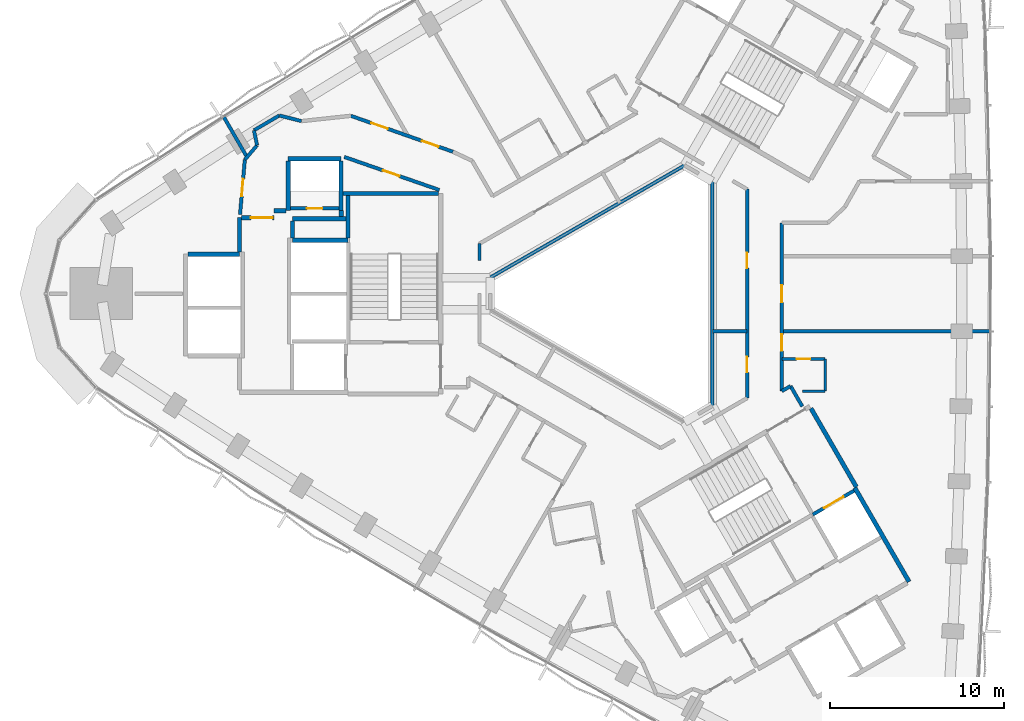
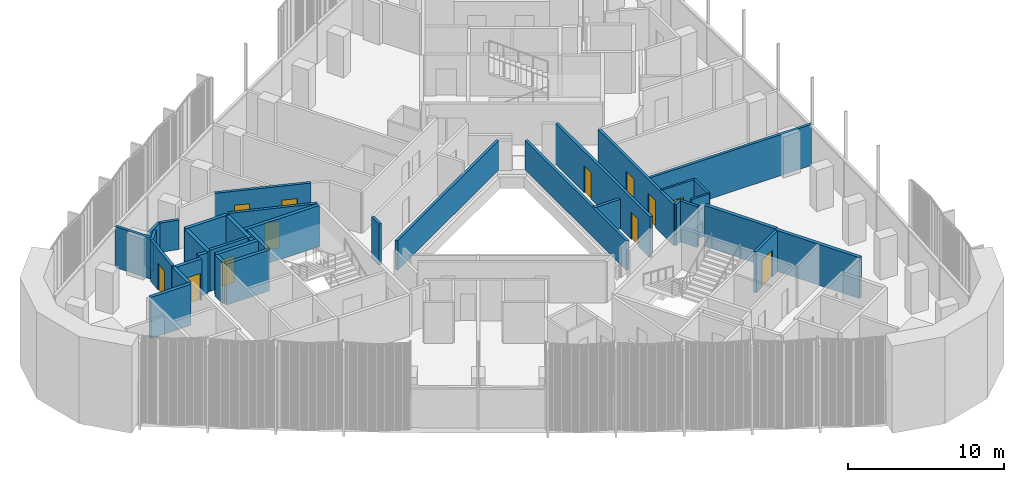
# One storey, part 10 of 15: 37 walls, 12 doors, 12 openings.
"""IFC4 building model written with IfcOpenShell, lengths in metres."""

from ifc_helpers import new_model, si_unit, direction, frame, frame_2d, origin, place, context, subcontext, project, spatial, rectangle, extrude, material, layer, layer_set, type_object, element, fill, save


model = new_model("IFC4")

# Units and contexts
model_context = context("Model", 3, precision=1e-05, world=origin(), true_north=direction((0.0, 1.0)))
body_context = subcontext(model_context, "Body", "Model", "MODEL_VIEW")
ifc_project = project(units=[si_unit("LENGTHUNIT", "METRE"), si_unit("AREAUNIT", "SQUARE_METRE"), si_unit("VOLUMEUNIT", "CUBIC_METRE"), si_unit("PLANEANGLEUNIT", "RADIAN"), si_unit("MASSUNIT", "GRAM", prefix="KILO")], contexts=[model_context])

# Site, building, storey
site_placement = place(None, origin())
site = spatial("IfcSite", under=ifc_project, at=site_placement, CompositionType="ELEMENT")
building_placement = place(site_placement, origin())
building = spatial("IfcBuilding", under=site, at=building_placement, Name="Tamra Quay Hotel Tower", CompositionType="ELEMENT")
storey_placement = place(building_placement, frame((0.0, 0.0, 128.800048828125)))
storey = spatial("IfcBuildingStorey", under=building, at=storey_placement, Name="L31", CompositionType="ELEMENT", Elevation=128.800048828125)

# Wall, opening, door
ifc_material_1 = material(Name="Concrete M70", Category="concrete")
ifc_layer_1 = layer(ifc_material_1, 0.199951171875)
ifc_layer_set_1 = layer_set([ifc_layer_1], Name="Concrete M70 core wall 200")
wall_type_1 = type_object("IfcWallType", Name="Concrete M70 core wall 200", PredefinedType="SHEAR", material=ifc_layer_set_1)
wall_1_placement = place(storey_placement, frame((-19.51123046875, 4.91015625, 0.0), z_axis=(0.0, 0.0, 1.0), x_axis=(1.0, 0.0, 0.0)))
wall_1 = element("IfcWall", 1, at=wall_1_placement, inside=storey, type_object=wall_type_1, Name="CW2", PredefinedType="SHEAR", context=body_context, shape_type="SweptSolid", body=[
    extrude(rectangle(XDim=2.7978515625, YDim=0.199951171875, at=frame_2d((1.39892578125, 0.0))), origin(), (0.0, 0.0, 1.0), 3.199951171875),
])
opening_1_placement = place(wall_1_placement, frame((0.948974609375, 0.0, 0.0)))
opening_1 = element("IfcOpeningElement", 2, at=opening_1_placement, cuts=wall_1, Name="Opening D1", PredefinedType="OPENING", context=body_context, shape_type="SweptSolid", body=[
    extrude(rectangle(XDim=0.89990234375, YDim=2.10009765625, at=frame_2d((0.449951171875, 1.050048828125))), frame((0.0, 0.10986328125, 0.0), z_axis=(0.0, -1.0, 0.0), x_axis=(1.0, 0.0, 0.0)), (0.0, 0.0, 1.0), 0.219970703125),
])
ifc_material_2 = material(Name="Core door D1 900x2100 RH")
door_type_1 = type_object("IfcDoorType", Name="Core door D1 900x2100 RH", OperationType="NOTDEFINED", PredefinedType="DOOR", material=ifc_material_2)
door_1_placement = place(opening_1_placement, origin())
door_1 = element("IfcDoor", 3, at=door_1_placement, inside=storey, type_object=door_type_1, Name="D1", OperationType="SINGLE_SWING_RIGHT", OverallHeight=2.10009765625, OverallWidth=0.89990234375, PredefinedType="DOOR", context=body_context, shape_type="SweptSolid", body=[
    extrude(rectangle(XDim=0.89990234375, YDim=2.10009765625, at=frame_2d((0.449951171875, 1.050048828125))), frame((0.0, 0.02490234375, 0.0), z_axis=(0.0, -1.0, 0.0), x_axis=(1.0, 0.0, 0.0)), (0.0, 0.0, 1.0), 0.050048828125),
])
fill(opening_1, door_1)

wall_2_placement = place(storey_placement, frame((10.587158203125, -12.72314453125, 0.0), z_axis=(0.0, 0.0, 1.0), x_axis=(0.866037306777, 0.499979382845, 0.0)))
wall_2 = element("IfcWall", 4, at=wall_2_placement, inside=storey, type_object=wall_type_1, Name="CW2", PredefinedType="SHEAR", context=body_context, shape_type="SweptSolid", body=[
    extrude(rectangle(XDim=2.74169921875, YDim=0.199951171875, at=frame_2d((1.370849609375, 0.0))), origin(), (0.0, 0.0, 1.0), 3.199951171875),
])
opening_2_placement = place(wall_2_placement, frame((0.742919921875, 0.0, 0.0)))
opening_2 = element("IfcOpeningElement", 5, at=opening_2_placement, cuts=wall_2, Name="Opening LD", PredefinedType="OPENING", context=body_context, shape_type="SweptSolid", body=[
    extrude(rectangle(XDim=1.300048828125, YDim=2.10009765625, at=frame_2d((0.64990234375, 1.050048828125))), frame((0.0, 0.10986328125, 0.0), z_axis=(0.0, -1.0, 0.0), x_axis=(1.0, 0.0, 0.0)), (0.0, 0.0, 1.0), 0.219970703125),
])
ifc_material_3 = material(Name="Landing door LD 1300 sliding to right")
door_type_2 = type_object("IfcDoorType", Name="Landing door LD 1300 sliding to right", OperationType="NOTDEFINED", PredefinedType="DOOR", material=ifc_material_3)
door_2_placement = place(opening_2_placement, origin())
door_2 = element("IfcDoor", 6, at=door_2_placement, inside=storey, type_object=door_type_2, Name="LD", OperationType="SLIDING_TO_RIGHT", OverallHeight=2.10009765625, OverallWidth=1.300048828125, PredefinedType="DOOR", context=body_context, shape_type="SweptSolid", body=[
    extrude(rectangle(XDim=1.300048828125, YDim=2.10009765625, at=frame_2d((0.64990234375, 1.050048828125))), frame((0.0, 0.02490234375, 0.0), z_axis=(0.0, -1.0, 0.0), x_axis=(1.0, 0.0, 0.0)), (0.0, 0.0, 1.0), 0.050048828125),
])
fill(opening_2, door_2)

# Walls
ifc_layer_2 = layer(ifc_material_1, 0.25)
ifc_layer_set_2 = layer_set([ifc_layer_2], Name="Concrete M70 core wall 250")
wall_type_2 = type_object("IfcWallType", Name="Concrete M70 core wall 250", PredefinedType="SHEAR", material=ifc_layer_set_2)
wall_3_placement = place(storey_placement, frame((-16.47216796875, 5.77490234375, 0.0), z_axis=(0.0, 0.0, 1.0), x_axis=(1.0, 0.0, 0.0)))
element("IfcWall", 7, at=wall_3_placement, inside=storey, type_object=wall_type_2, Name="CW1", PredefinedType="SHEAR", context=body_context, shape_type="SweptSolid", body=[
    extrude(rectangle(XDim=5.509521484375, YDim=0.25, at=frame_2d((2.7548828125, 0.0))), origin(), (0.0, 0.0, 1.0), 3.199951171875),
])
wall_4_placement = place(storey_placement, frame((-19.38720703125, 3.074951171875, 0.0), z_axis=(0.0, 0.0, 1.0), x_axis=(1.0, 0.0, 0.0)))
element("IfcWall", 8, at=wall_4_placement, inside=storey, type_object=wall_type_2, Name="CW1", PredefinedType="SHEAR", context=body_context, shape_type="SweptSolid", body=[
    extrude(rectangle(XDim=3.199951171875, YDim=0.25, at=frame_2d((1.60009765625, 0.0))), origin(), (0.0, 0.0, 1.0), 3.199951171875),
])
wall_5_placement = place(storey_placement, frame((-25.411865234375, 2.27490234375, 0.0), z_axis=(0.0, 0.0, 1.0), x_axis=(1.0, 0.0, 0.0)))
element("IfcWall", 9, at=wall_5_placement, inside=storey, type_object=wall_type_2, Name="CW1", PredefinedType="SHEAR", context=body_context, shape_type="SweptSolid", body=[
    extrude(rectangle(XDim=2.974609375, YDim=0.25, at=frame_2d((1.4873046875, 0.0))), origin(), (0.0, 0.0, 1.0), 3.199951171875),
])
wall_6_placement = place(storey_placement, frame((-19.63720703125, 7.77490234375, 0.0), z_axis=(0.0, 0.0, 1.0), x_axis=(1.0, 0.0, 0.0)))
element("IfcWall", 10, at=wall_6_placement, inside=storey, type_object=wall_type_2, Name="CW1", PredefinedType="SHEAR", context=body_context, shape_type="SweptSolid", body=[
    extrude(rectangle(XDim=3.0498046875, YDim=0.25, at=frame_2d((1.52490234375, 0.0))), origin(), (0.0, 0.0, 1.0), 3.199951171875),
])
for number, where, z_axis, x_axis, name in (
    (11, (-16.58740234375, 7.649658203125, 0.0), (0.0, 0.0, 1.0), (0.0, -1.0, 0.0), "CW1"),
    (12, (-19.63720703125, 4.784912109375, 0.0), (0.0, 0.0, 1.0), (0.0, 1.0, 0.0), "CW1"),
):
    element("IfcWall", number, at=place(storey_placement, frame(where, z_axis=z_axis, x_axis=x_axis)), inside=storey, type_object=wall_type_2, Name=name, PredefinedType="SHEAR", context=body_context, shape_type="SweptSolid", body=[
        extrude(rectangle(XDim=2.86474609375, YDim=0.25, at=frame_2d((1.432373046875, 0.0))), origin(), (0.0, 0.0, 1.0), 3.199951171875),
    ])
wall_7_placement = place(storey_placement, frame((-16.30224609375, 4.31494140625, 0.0), z_axis=(0.0, 0.0, 1.0), x_axis=(-1.0, 0.0, 0.0)))
element("IfcWall", 13, at=wall_7_placement, inside=storey, type_object=wall_type_2, Name="CW1", PredefinedType="SHEAR", context=body_context, shape_type="SweptSolid", body=[
    extrude(rectangle(XDim=3.0849609375, YDim=0.25, at=frame_2d((1.54248046875, 0.0))), origin(), (0.0, 0.0, 1.0), 3.199951171875),
])
wall_8_placement = place(storey_placement, frame((-16.187255859375, 3.200439453125, 0.0), z_axis=(0.0, 0.0, 1.0), x_axis=(0.0, 1.0, 0.0)))
element("IfcWall", 14, at=wall_8_placement, inside=storey, type_object=wall_type_2, Name="CW1", PredefinedType="SHEAR", context=body_context, shape_type="SweptSolid", body=[
    extrude(rectangle(XDim=2.44921875, YDim=0.25, at=frame_2d((1.224609375, 0.0))), origin(), (0.0, 0.0, 1.0), 3.199951171875),
])
wall_9_placement = place(storey_placement, frame((-22.437255859375, 2.400390625, 0.0), z_axis=(0.0, 0.0, 1.0), x_axis=(0.0, 1.0, 0.0)))
element("IfcWall", 15, at=wall_9_placement, inside=storey, type_object=wall_type_2, Name="CW1", PredefinedType="SHEAR", context=body_context, shape_type="SweptSolid", body=[
    extrude(rectangle(XDim=1.974609375, YDim=0.25, at=frame_2d((0.9873046875, 0.0))), origin(), (0.0, 0.0, 1.0), 3.199951171875),
])

# Wall, opening, door
wall_10_placement = place(storey_placement, frame((-22.311767578125, 4.375, 0.0), z_axis=(0.0, 0.0, 1.0), x_axis=(1.0, 0.0, 0.0)))
wall_10 = element("IfcWall", 16, at=wall_10_placement, inside=storey, type_object=wall_type_2, Name="CW1", PredefinedType="SHEAR", context=body_context, shape_type="SweptSolid", body=[
    extrude(rectangle(XDim=1.864501953125, YDim=0.25, at=frame_2d((0.93212890625, 0.0))), origin(), (0.0, 0.0, 1.0), 3.199951171875),
])
opening_3_placement = place(wall_10_placement, frame((0.53466796875, 0.0, 0.0)))
opening_3 = element("IfcOpeningElement", 17, at=opening_3_placement, cuts=wall_10, Name="Opening FD3", PredefinedType="OPENING", context=body_context, shape_type="SweptSolid", body=[
    extrude(rectangle(XDim=1.25, YDim=2.10009765625, at=frame_2d((0.625, 1.050048828125))), frame((0.0, 0.135009765625, 0.0), z_axis=(0.0, -1.0, 0.0), x_axis=(1.0, 0.0, 0.0)), (0.0, 0.0, 1.0), 0.27001953125),
])
ifc_material_4 = material(Name="Core door FD3 1250x2100 LH")
door_type_3 = type_object("IfcDoorType", Name="Core door FD3 1250x2100 LH", OperationType="NOTDEFINED", PredefinedType="DOOR", material=ifc_material_4)
door_3_placement = place(opening_3_placement, origin())
door_3 = element("IfcDoor", 18, at=door_3_placement, inside=storey, type_object=door_type_3, Name="FD3", OperationType="SINGLE_SWING_LEFT", OverallHeight=2.10009765625, OverallWidth=1.25, PredefinedType="DOOR", context=body_context, shape_type="SweptSolid", body=[
    extrude(rectangle(XDim=1.25, YDim=2.10009765625, at=frame_2d((0.625, 1.050048828125))), frame((0.0, 0.02490234375, 0.0), z_axis=(0.0, -1.0, 0.0), x_axis=(1.0, 0.0, 0.0)), (0.0, 0.0, 1.0), 0.050048828125),
])
fill(opening_3, door_3)

# Walls
wall_11_placement = place(storey_placement, frame((-19.38720703125, 4.189697265625, 0.0), z_axis=(0.0, 0.0, 1.0), x_axis=(0.0, -1.0, 0.0)))
element("IfcWall", 19, at=wall_11_placement, inside=storey, type_object=wall_type_2, Name="CW1", PredefinedType="SHEAR", context=body_context, shape_type="SweptSolid", body=[
    extrude(rectangle(XDim=0.9892578125, YDim=0.25, at=frame_2d((0.49462890625, 0.0))), origin(), (0.0, 0.0, 1.0), 3.199951171875),
])
wall_12_placement = place(storey_placement, frame((-20.447265625, 4.784912109375, 0.0), z_axis=(0.0, 0.0, 1.0), x_axis=(1.0, 0.0, 0.0)))
element("IfcWall", 20, at=wall_12_placement, inside=storey, type_object=wall_type_2, Name="CW1", PredefinedType="SHEAR", context=body_context, shape_type="SweptSolid", body=[
    extrude(rectangle(XDim=0.6845703125, YDim=0.25, at=frame_2d((0.34228515625, 0.0))), origin(), (0.0, 0.0, 1.0), 3.199951171875),
])
wall_13_placement = place(storey_placement, frame((-16.577392578125, 4.784912109375, 0.0), z_axis=(0.0, 0.0, 1.0), x_axis=(0.0, -1.0, 0.0)))
element("IfcWall", 21, at=wall_13_placement, inside=storey, type_object=wall_type_2, Name="CW1", PredefinedType="SHEAR", context=body_context, shape_type="SweptSolid", body=[
    extrude(rectangle(XDim=0.344482421875, YDim=0.25, at=frame_2d((0.17236328125, 0.0))), origin(), (0.0, 0.0, 1.0), 3.199951171875),
])
wall_14_placement = place(storey_placement, frame((13.00830078125, -11.18115234375, 0.0), z_axis=(0.0, 0.0, 1.0), x_axis=(0.500004234368, -0.866022959057, 0.0)))
element("IfcWall", 22, at=wall_14_placement, inside=storey, type_object=wall_type_2, Name="CW1", PredefinedType="SHEAR", context=body_context, shape_type="SweptSolid", body=[
    extrude(rectangle(XDim=6.25, YDim=0.25, at=frame_2d((3.125, 0.0))), origin(), (0.0, 0.0, 1.0), 3.199951171875),
])
wall_15_placement = place(storey_placement, frame((10.482666015625, -6.6064453125, 0.0), z_axis=(0.0, 0.0, 1.0), x_axis=(0.49999885962, -0.866026062182, 0.0)))
element("IfcWall", 23, at=wall_15_placement, inside=storey, type_object=wall_type_2, Name="CW1", PredefinedType="SHEAR", context=body_context, shape_type="SweptSolid", body=[
    extrude(rectangle(XDim=5.224609375, YDim=0.25, at=frame_2d((2.6123046875, 0.0))), origin(), (0.0, 0.0, 1.0), 3.199951171875),
])

# Wall, opening, door
ifc_material_5 = material(Name="Partition corridor wall")
ifc_layer_3 = layer(ifc_material_5, 0.199951171875)
ifc_layer_set_3 = layer_set([ifc_layer_3], Name="Partition corridor wall")
wall_type_3 = type_object("IfcWallType", Name="Partition corridor wall", PredefinedType="PARTITIONING", material=ifc_layer_set_3)
wall_16_placement = place(storey_placement, frame((-22.40673828125, 4.56005859375, 0.0), z_axis=(0.0, 0.0, 1.0), x_axis=(0.086898645684, 0.996217157741, 0.0)))
wall_16 = element("IfcWall", 24, at=wall_16_placement, inside=storey, type_object=wall_type_3, Name="W-C", PredefinedType="PARTITIONING", context=body_context, shape_type="SweptSolid", body=[
    extrude(rectangle(XDim=3.171875, YDim=0.199951171875, at=frame_2d((1.5859375, 0.0))), origin(), (0.0, 0.0, 1.0), 3.199951171875),
])
opening_4_placement = place(wall_16_placement, frame((1.055908203125, 0.0, 0.0)))
opening_4 = element("IfcOpeningElement", 25, at=opening_4_placement, cuts=wall_16, Name="Opening L31-D013", PredefinedType="OPENING", context=body_context, shape_type="SweptSolid", body=[
    extrude(rectangle(XDim=1.0, YDim=2.10009765625, at=frame_2d((0.5, 1.050048828125))), frame((0.0, 0.10986328125, 0.0), z_axis=(0.0, -1.0, 0.0), x_axis=(1.0, 0.0, 0.0)), (0.0, 0.0, 1.0), 0.219970703125),
])
ifc_material_6 = material(Name="Door guest room 1000x2100")
door_type_4 = type_object("IfcDoorType", Name="Door guest room 1000x2100", OperationType="NOTDEFINED", PredefinedType="DOOR", material=ifc_material_6)
door_4_placement = place(opening_4_placement, origin())
door_4 = element("IfcDoor", 26, at=door_4_placement, inside=storey, type_object=door_type_4, Name="L31-D013", OperationType="SINGLE_SWING_LEFT", OverallHeight=2.10009765625, OverallWidth=1.0, PredefinedType="DOOR", context=body_context, shape_type="SweptSolid", body=[
    extrude(rectangle(XDim=1.0, YDim=2.10009765625, at=frame_2d((0.5, 1.050048828125))), frame((0.0, 0.02490234375, 0.0), z_axis=(0.0, -1.0, 0.0), x_axis=(1.0, 0.0, 0.0)), (0.0, 0.0, 1.0), 0.050048828125),
])
fill(opening_4, door_4)

# Walls
wall_17_placement = place(storey_placement, frame((-22.13037109375, 7.719482421875, 0.0), z_axis=(0.0, 0.0, 1.0), x_axis=(0.646413536249, 0.762987247701, 0.0)))
element("IfcWall", 27, at=wall_17_placement, inside=storey, type_object=wall_type_3, Name="W-C", PredefinedType="PARTITIONING", context=body_context, shape_type="SweptSolid", body=[
    extrude(rectangle(XDim=1.091064453125, YDim=0.199951171875, at=frame_2d((0.54541015625, 0.0))), origin(), (0.0, 0.0, 1.0), 3.199951171875),
])
wall_18_placement = place(storey_placement, frame((-21.60498046875, 9.412109375, 0.0), z_axis=(0.0, 0.0, 1.0), x_axis=(0.204764111512, -0.978811349871, 0.0)))
element("IfcWall", 28, at=wall_18_placement, inside=storey, type_object=wall_type_3, Name="W-C", PredefinedType="PARTITIONING", context=body_context, shape_type="SweptSolid", body=[
    extrude(rectangle(XDim=0.878662109375, YDim=0.199951171875, at=frame_2d((0.439453125, 0.0))), origin(), (0.0, 0.0, 1.0), 2.300048828125),
])
wall_19_placement = place(storey_placement, frame((-21.60400390625, 9.4130859375, 0.0), z_axis=(0.0, 0.0, 1.0), x_axis=(0.863736988548, 0.503942868402, 0.0)))
element("IfcWall", 29, at=wall_19_placement, inside=storey, type_object=wall_type_3, Name="W-C", PredefinedType="PARTITIONING", context=body_context, shape_type="SweptSolid", body=[
    extrude(rectangle(XDim=1.690185546875, YDim=0.199951171875, at=frame_2d((0.84521484375, 0.0))), origin(), (0.0, 0.0, 1.0), 2.300048828125),
])
wall_20_placement = place(storey_placement, frame((-20.14306640625, 10.26611328125, 0.0), z_axis=(0.0, 0.0, 1.0), x_axis=(0.969121308325, -0.246584447505, 0.0)))
element("IfcWall", 30, at=wall_20_placement, inside=storey, type_object=wall_type_3, Name="W-C", PredefinedType="PARTITIONING", context=body_context, shape_type="SweptSolid", body=[
    extrude(rectangle(XDim=1.31884765625, YDim=0.199951171875, at=frame_2d((0.659423828125, 0.0))), origin(), (0.0, 0.0, 1.0), 2.300048828125),
])

# Wall, opening, door
wall_21_placement = place(storey_placement, frame((-16.40234375, 7.879150390625, 0.0), z_axis=(0.0, 0.0, 1.0), x_axis=(0.944492255471, -0.328533680702, 0.0)))
wall_21 = element("IfcWall", 31, at=wall_21_placement, inside=storey, type_object=wall_type_3, Name="W-C", PredefinedType="PARTITIONING", context=body_context, shape_type="SweptSolid", body=[
    extrude(rectangle(XDim=5.80224609375, YDim=0.199951171875, at=frame_2d((2.901123046875, 0.0))), origin(), (0.0, 0.0, 1.0), 3.199951171875),
])
opening_5_placement = place(wall_21_placement, frame((2.36962890625, 0.0, 0.0)))
opening_5 = element("IfcOpeningElement", 32, at=opening_5_placement, cuts=wall_21, Name="Opening L31-D011", PredefinedType="OPENING", context=body_context, shape_type="SweptSolid", body=[
    extrude(rectangle(XDim=1.0, YDim=2.10009765625, at=frame_2d((0.5, 1.050048828125))), frame((0.0, 0.10986328125, 0.0), z_axis=(0.0, -1.0, 0.0), x_axis=(1.0, 0.0, 0.0)), (0.0, 0.0, 1.0), 0.219970703125),
])
door_5_placement = place(opening_5_placement, frame((1.0, 0.0, 0.0), z_axis=(0.0, 0.0, 1.0), x_axis=(-1.0, 0.0, 0.0)))
door_5 = element("IfcDoor", 33, at=door_5_placement, inside=storey, type_object=door_type_4, Name="L31-D011", OperationType="SINGLE_SWING_LEFT", OverallHeight=2.10009765625, OverallWidth=1.0, PredefinedType="DOOR", context=body_context, shape_type="SweptSolid", body=[
    extrude(rectangle(XDim=1.0, YDim=2.10009765625, at=frame_2d((0.5, 1.050048828125))), frame((0.0, 0.02490234375, 0.0), z_axis=(0.0, -1.0, 0.0), x_axis=(1.0, 0.0, 0.0)), (0.0, 0.0, 1.0), 0.050048828125),
])
fill(opening_5, door_5)

# Wall, openings, doors
wall_22_placement = place(storey_placement, frame((-16.025634765625, 10.248046875, 0.0), z_axis=(0.0, 0.0, 1.0), x_axis=(0.943234993827, -0.332126100179, 0.0)))
wall_22 = element("IfcWall", 34, at=wall_22_placement, inside=storey, type_object=wall_type_3, Name="W-C", PredefinedType="PARTITIONING", context=body_context, shape_type="SweptSolid", body=[
    extrude(rectangle(XDim=6.23876953125, YDim=0.199951171875, at=frame_2d((3.119384765625, 0.0))), origin(), (0.0, 0.0, 1.0), 3.199951171875),
])
opening_6_placement = place(wall_22_placement, frame((4.355224609375, 0.0, 0.0)))
opening_6 = element("IfcOpeningElement", 35, at=opening_6_placement, cuts=wall_22, Name="Opening L31-D010", PredefinedType="OPENING", context=body_context, shape_type="SweptSolid", body=[
    extrude(rectangle(XDim=1.0, YDim=2.10009765625, at=frame_2d((0.5, 1.050048828125))), frame((0.0, 0.10986328125, 0.0), z_axis=(0.0, -1.0, 0.0), x_axis=(1.0, 0.0, 0.0)), (0.0, 0.0, 1.0), 0.219970703125),
])
opening_7_placement = place(wall_22_placement, frame((1.2509765625, 0.0, 0.0)))
opening_7 = element("IfcOpeningElement", 36, at=opening_7_placement, cuts=wall_22, Name="Opening L31-D012", PredefinedType="OPENING", context=body_context, shape_type="SweptSolid", body=[
    extrude(rectangle(XDim=1.0, YDim=2.10009765625, at=frame_2d((0.5, 1.050048828125))), frame((0.0, 0.10986328125, 0.0), z_axis=(0.0, -1.0, 0.0), x_axis=(1.0, 0.0, 0.0)), (0.0, 0.0, 1.0), 0.219970703125),
])
door_6_placement = place(opening_6_placement, origin())
door_6 = element("IfcDoor", 37, at=door_6_placement, inside=storey, type_object=door_type_4, Name="L31-D010", OperationType="SINGLE_SWING_LEFT", OverallHeight=2.10009765625, OverallWidth=1.0, PredefinedType="DOOR", context=body_context, shape_type="SweptSolid", body=[
    extrude(rectangle(XDim=1.0, YDim=2.10009765625, at=frame_2d((0.5, 1.050048828125))), frame((0.0, 0.02490234375, 0.0), z_axis=(0.0, -1.0, 0.0), x_axis=(1.0, 0.0, 0.0)), (0.0, 0.0, 1.0), 0.050048828125),
])
fill(opening_6, door_6)
door_7_placement = place(opening_7_placement, origin())
door_7 = element("IfcDoor", 38, at=door_7_placement, inside=storey, type_object=door_type_4, Name="L31-D012", OperationType="SINGLE_SWING_LEFT", OverallHeight=2.10009765625, OverallWidth=1.0, PredefinedType="DOOR", context=body_context, shape_type="SweptSolid", body=[
    extrude(rectangle(XDim=1.0, YDim=2.10009765625, at=frame_2d((0.5, 1.050048828125))), frame((0.0, 0.02490234375, 0.0), z_axis=(0.0, -1.0, 0.0), x_axis=(1.0, 0.0, 0.0)), (0.0, 0.0, 1.0), 0.050048828125),
])
fill(opening_7, door_7)

# Wall
wall_23_placement = place(storey_placement, frame((-8.612060546875, 1.926025390625, 0.0), z_axis=(0.0, 0.0, 1.0), x_axis=(0.0, 1.0, 0.0)))
element("IfcWall", 39, at=wall_23_placement, inside=storey, type_object=wall_type_3, Name="W-C", PredefinedType="PARTITIONING", context=body_context, shape_type="SweptSolid", body=[
    extrude(rectangle(XDim=0.953857421875, YDim=0.199951171875, at=frame_2d((0.47705078125, 0.0))), origin(), (0.0, 0.0, 1.0), 3.199951171875),
])

# Wall, openings, doors
wall_24_placement = place(storey_placement, frame((6.800048828125, -6.01904296875, 0.0), z_axis=(0.0, 0.0, 1.0), x_axis=(0.0, 1.0, 0.0)))
wall_24 = element("IfcWall", 40, at=wall_24_placement, inside=storey, type_object=wall_type_3, Name="W-C", PredefinedType="PARTITIONING", context=body_context, shape_type="SweptSolid", body=[
    extrude(rectangle(XDim=12.0380859375, YDim=0.199951171875, at=frame_2d((6.01904296875, 0.0))), origin(), (0.0, 0.0, 1.0), 3.199951171875),
])
opening_8_placement = place(wall_24_placement, frame((1.485107421875, 0.0, 0.0)))
opening_8 = element("IfcOpeningElement", 41, at=opening_8_placement, cuts=wall_24, Name="Opening L31-D024", PredefinedType="OPENING", context=body_context, shape_type="SweptSolid", body=[
    extrude(rectangle(XDim=0.89990234375, YDim=2.10009765625, at=frame_2d((0.449951171875, 1.050048828125))), frame((0.0, 0.10986328125, 0.0), z_axis=(0.0, -1.0, 0.0), x_axis=(1.0, 0.0, 0.0)), (0.0, 0.0, 1.0), 0.219970703125),
])
opening_9_placement = place(wall_24_placement, frame((7.491943359375, 0.0, 0.0)))
opening_9 = element("IfcOpeningElement", 42, at=opening_9_placement, cuts=wall_24, Name="Opening L31-D025", PredefinedType="OPENING", context=body_context, shape_type="SweptSolid", body=[
    extrude(rectangle(XDim=0.89990234375, YDim=2.10009765625, at=frame_2d((0.449951171875, 1.050048828125))), frame((0.0, 0.10986328125, 0.0), z_axis=(0.0, -1.0, 0.0), x_axis=(1.0, 0.0, 0.0)), (0.0, 0.0, 1.0), 0.219970703125),
])
ifc_material_7 = material(Name="Door service room 900x2100")
door_type_5 = type_object("IfcDoorType", Name="Door service room 900x2100", OperationType="NOTDEFINED", PredefinedType="DOOR", material=ifc_material_7)
door_8_placement = place(opening_8_placement, origin())
door_8 = element("IfcDoor", 43, at=door_8_placement, inside=storey, type_object=door_type_5, Name="L31-D024", OperationType="SINGLE_SWING_LEFT", OverallHeight=2.10009765625, OverallWidth=0.89990234375, PredefinedType="DOOR", context=body_context, shape_type="SweptSolid", body=[
    extrude(rectangle(XDim=0.89990234375, YDim=2.10009765625, at=frame_2d((0.449951171875, 1.050048828125))), frame((0.0, 0.02490234375, 0.0), z_axis=(0.0, -1.0, 0.0), x_axis=(1.0, 0.0, 0.0)), (0.0, 0.0, 1.0), 0.050048828125),
])
fill(opening_8, door_8)
door_9_placement = place(opening_9_placement, origin())
door_9 = element("IfcDoor", 44, at=door_9_placement, inside=storey, type_object=door_type_5, Name="L31-D025", OperationType="SINGLE_SWING_LEFT", OverallHeight=2.10009765625, OverallWidth=0.89990234375, PredefinedType="DOOR", context=body_context, shape_type="SweptSolid", body=[
    extrude(rectangle(XDim=0.89990234375, YDim=2.10009765625, at=frame_2d((0.449951171875, 1.050048828125))), frame((0.0, 0.02490234375, 0.0), z_axis=(0.0, -1.0, 0.0), x_axis=(1.0, 0.0, 0.0)), (0.0, 0.0, 1.0), 0.050048828125),
])
fill(opening_9, door_9)

wall_25_placement = place(storey_placement, frame((8.800048828125, -5.614013671875, 0.0), z_axis=(0.0, 0.0, 1.0), x_axis=(0.0, 1.0, 0.0)))
wall_25 = element("IfcWall", 45, at=wall_25_placement, inside=storey, type_object=wall_type_3, Name="W-C", PredefinedType="PARTITIONING", context=body_context, shape_type="SweptSolid", body=[
    extrude(rectangle(XDim=9.69189453125, YDim=0.199951171875, at=frame_2d((4.845947265625, 0.0))), origin(), (0.0, 0.0, 1.0), 3.199951171875),
])
opening_10_placement = place(wall_25_placement, frame((2.31494140625, 0.0, 0.0)))
opening_10 = element("IfcOpeningElement", 46, at=opening_10_placement, cuts=wall_25, Name="Opening L31-D001", PredefinedType="OPENING", context=body_context, shape_type="SweptSolid", body=[
    extrude(rectangle(XDim=0.949951171875, YDim=2.10009765625, at=frame_2d((0.47509765625, 1.050048828125))), frame((0.0, 0.10986328125, 0.0), z_axis=(0.0, -1.0, 0.0), x_axis=(1.0, 0.0, 0.0)), (0.0, 0.0, 1.0), 0.219970703125),
])
opening_11_placement = place(wall_25_placement, frame((5.114013671875, 0.0, 0.0)))
opening_11 = element("IfcOpeningElement", 47, at=opening_11_placement, cuts=wall_25, Name="Opening L31-D003", PredefinedType="OPENING", context=body_context, shape_type="SweptSolid", body=[
    extrude(rectangle(XDim=1.0, YDim=2.10009765625, at=frame_2d((0.5, 1.050048828125))), frame((0.0, 0.10986328125, 0.0), z_axis=(0.0, -1.0, 0.0), x_axis=(1.0, 0.0, 0.0)), (0.0, 0.0, 1.0), 0.219970703125),
])
door_10_placement = place(opening_11_placement, frame((1.0, 0.0, 0.0), z_axis=(0.0, 0.0, 1.0), x_axis=(-1.0, 0.0, 0.0)))
door_10 = element("IfcDoor", 48, at=door_10_placement, inside=storey, type_object=door_type_4, Name="L31-D003", OperationType="SINGLE_SWING_LEFT", OverallHeight=2.10009765625, OverallWidth=1.0, PredefinedType="DOOR", context=body_context, shape_type="SweptSolid", body=[
    extrude(rectangle(XDim=1.0, YDim=2.10009765625, at=frame_2d((0.5, 1.050048828125))), frame((0.0, 0.02490234375, 0.0), z_axis=(0.0, -1.0, 0.0), x_axis=(1.0, 0.0, 0.0)), (0.0, 0.0, 1.0), 0.050048828125),
])
fill(opening_11, door_10)
ifc_material_8 = material(Name="Door guest room 950x2100")
door_type_6 = type_object("IfcDoorType", Name="Door guest room 950x2100", OperationType="NOTDEFINED", PredefinedType="DOOR", material=ifc_material_8)
door_11_placement = place(opening_10_placement, frame((0.949951171875, 0.0, 0.0), z_axis=(0.0, 0.0, 1.0), x_axis=(-1.0, 0.0, 0.0)))
door_11 = element("IfcDoor", 49, at=door_11_placement, inside=storey, type_object=door_type_6, Name="L31-D001", OperationType="SINGLE_SWING_LEFT", OverallHeight=2.10009765625, OverallWidth=0.949951171875, PredefinedType="DOOR", context=body_context, shape_type="SweptSolid", body=[
    extrude(rectangle(XDim=0.949951171875, YDim=2.10009765625, at=frame_2d((0.47509765625, 1.050048828125))), frame((0.0, 0.02490234375, 0.0), z_axis=(0.0, -1.0, 0.0), x_axis=(1.0, 0.0, 0.0)), (0.0, 0.0, 1.0), 0.050048828125),
])
fill(opening_10, door_11)

# Walls
wall_26_placement = place(storey_placement, frame((8.800048828125, -5.614013671875, 0.0), z_axis=(0.0, 0.0, 1.0), x_axis=(0.866491166515, 0.499192406143, 0.0)))
element("IfcWall", 50, at=wall_26_placement, inside=storey, type_object=wall_type_3, Name="W-C", PredefinedType="PARTITIONING", context=body_context, shape_type="SweptSolid", body=[
    extrude(rectangle(XDim=0.5849609375, YDim=0.199951171875, at=frame_2d((0.29248046875, 0.0))), origin(), (0.0, 0.0, 1.0), 3.199951171875),
])
wall_27_placement = place(storey_placement, frame((9.3076171875, -5.321533203125, 0.0), z_axis=(0.0, 0.0, 1.0), x_axis=(0.499644515495, -0.866230545603, 0.0)))
element("IfcWall", 51, at=wall_27_placement, inside=storey, type_object=wall_type_3, Name="W-C", PredefinedType="PARTITIONING", context=body_context, shape_type="SweptSolid", body=[
    extrude(rectangle(XDim=1.35595703125, YDim=0.199951171875, at=frame_2d((0.677978515625, 0.0))), origin(), (0.0, 0.0, 1.0), 3.199951171875),
])

# Wall, opening, door
ifc_material_9 = material(Name="Partition en-suite wall")
ifc_layer_4 = layer(ifc_material_9, 0.14990234375)
ifc_layer_set_4 = layer_set([ifc_layer_4], Name="Partition en-suite wall")
wall_type_4 = type_object("IfcWallType", Name="Partition en-suite wall", PredefinedType="PARTITIONING", material=ifc_layer_set_4)
wall_28_placement = place(storey_placement, frame((8.801025390625, -3.760986328125, 0.0), z_axis=(0.0, 0.0, 1.0), x_axis=(1.0, 0.0, 0.0)))
wall_28 = element("IfcWall", 52, at=wall_28_placement, inside=storey, type_object=wall_type_4, Name="W-E", PredefinedType="PARTITIONING", context=body_context, shape_type="SweptSolid", body=[
    extrude(rectangle(XDim=2.4970703125, YDim=0.14990234375, at=frame_2d((1.24853515625, 0.0))), origin(), (0.0, 0.0, 1.0), 3.199951171875),
])
opening_12_placement = place(wall_28_placement, frame((0.84912109375, 0.0, 0.0)))
opening_12 = element("IfcOpeningElement", 53, at=opening_12_placement, cuts=wall_28, Name="Opening L31-D002", PredefinedType="OPENING", context=body_context, shape_type="SweptSolid", body=[
    extrude(rectangle(XDim=0.800048828125, YDim=2.10009765625, at=frame_2d((0.39990234375, 1.050048828125))), frame((0.0, 0.0849609375, 0.0), z_axis=(0.0, -1.0, 0.0), x_axis=(1.0, 0.0, 0.0)), (0.0, 0.0, 1.0), 0.169921875),
])
ifc_material_10 = material(Name="Door en-suite 800x2100")
door_type_7 = type_object("IfcDoorType", Name="Door en-suite 800x2100", OperationType="NOTDEFINED", PredefinedType="DOOR", material=ifc_material_10)
door_12_placement = place(opening_12_placement, frame((0.800048828125, 0.0, 0.0), z_axis=(0.0, 0.0, 1.0), x_axis=(-1.0, 0.0, 0.0)))
door_12 = element("IfcDoor", 54, at=door_12_placement, inside=storey, type_object=door_type_7, Name="L31-D002", OperationType="SINGLE_SWING_LEFT", OverallHeight=2.10009765625, OverallWidth=0.800048828125, PredefinedType="DOOR", context=body_context, shape_type="SweptSolid", body=[
    extrude(rectangle(XDim=0.800048828125, YDim=2.10009765625, at=frame_2d((0.39990234375, 1.050048828125))), frame((0.0, 0.02490234375, 0.0), z_axis=(0.0, -1.0, 0.0), x_axis=(1.0, 0.0, 0.0)), (0.0, 0.0, 1.0), 0.050048828125),
])
fill(opening_12, door_12)

# Walls
wall_29_placement = place(storey_placement, frame((11.298095703125, -5.614013671875, 0.0), z_axis=(0.0, 0.0, 1.0), x_axis=(-1.0, 0.0, 0.0)))
element("IfcWall", 55, at=wall_29_placement, inside=storey, type_object=wall_type_4, Name="W-E", PredefinedType="PARTITIONING", context=body_context, shape_type="SweptSolid", body=[
    extrude(rectangle(XDim=1.30224609375, YDim=0.14990234375, at=frame_2d((0.651123046875, 0.0))), origin(), (0.0, 0.0, 1.0), 3.199951171875),
])
wall_30_placement = place(storey_placement, frame((11.300048828125, -5.612060546875, 0.0), z_axis=(0.0, 0.0, 1.0), x_axis=(0.0, 1.0, 0.0)))
element("IfcWall", 56, at=wall_30_placement, inside=storey, type_object=wall_type_4, Name="W-E", PredefinedType="PARTITIONING", context=body_context, shape_type="SweptSolid", body=[
    extrude(rectangle(XDim=1.84912109375, YDim=0.14990234375, at=frame_2d((0.924560546875, 0.0))), origin(), (0.0, 0.0, 1.0), 3.199951171875),
])
ifc_material_11 = material(Name="Partition party wall")
ifc_layer_5 = layer(ifc_material_11, 0.199951171875)
ifc_layer_set_5 = layer_set([ifc_layer_5], Name="Partition party wall")
wall_type_5 = type_object("IfcWallType", Name="Partition party wall", PredefinedType="PARTITIONING", material=ifc_layer_set_5)
wall_31_placement = place(storey_placement, frame((-23.350830078125, 10.196533203125, 0.0), z_axis=(0.0, 0.0, 1.0), x_axis=(0.49992673358, -0.86606770004, 0.0)))
element("IfcWall", 57, at=wall_31_placement, inside=storey, type_object=wall_type_5, Name="W-P", PredefinedType="PARTITIONING", context=body_context, shape_type="SweptSolid", body=[
    extrude(rectangle(XDim=2.68994140625, YDim=0.199951171875, at=frame_2d((1.344970703125, 0.0))), origin(), (0.0, 0.0, 1.0), 3.199951171875),
])
wall_32_placement = place(storey_placement, frame((-8.0, 0.924072265625, 0.0), z_axis=(0.0, 0.0, 1.0), x_axis=(0.86604129137, 0.499972480886, 0.0)))
element("IfcWall", 58, at=wall_32_placement, inside=storey, type_object=wall_type_5, Name="W-P", PredefinedType="PARTITIONING", context=body_context, shape_type="SweptSolid", body=[
    extrude(rectangle(XDim=12.932373046875, YDim=0.199951171875, at=frame_2d((6.46630859375, 0.0))), origin(), (0.0, 0.0, 1.0), 2.300048828125),
])
wall_33_placement = place(storey_placement, frame((4.800048828125, -6.466064453125, 0.0), z_axis=(0.0, 0.0, 1.0), x_axis=(0.0, 1.0, 0.0)))
element("IfcWall", 59, at=wall_33_placement, inside=storey, type_object=wall_type_5, Name="W-P", PredefinedType="PARTITIONING", context=body_context, shape_type="SweptSolid", body=[
    extrude(rectangle(XDim=12.93212890625, YDim=0.199951171875, at=frame_2d((6.466064453125, 0.0))), origin(), (0.0, 0.0, 1.0), 2.300048828125),
])
wall_34_placement = place(storey_placement, frame((4.800048828125, -2.160888671875, 0.0), z_axis=(0.0, 0.0, 1.0), x_axis=(1.0, 0.0, 0.0)))
element("IfcWall", 60, at=wall_34_placement, inside=storey, type_object=wall_type_5, Name="W-P", PredefinedType="PARTITIONING", context=body_context, shape_type="SweptSolid", body=[
    extrude(rectangle(XDim=2.0, YDim=0.199951171875, at=frame_2d((1.0, 0.0))), origin(), (0.0, 0.0, 1.0), 2.300048828125),
])
wall_35_placement = place(storey_placement, frame((8.801025390625, -2.160888671875, 0.0), z_axis=(0.0, 0.0, 1.0), x_axis=(1.0, 0.0, 0.0)))
element("IfcWall", 61, at=wall_35_placement, inside=storey, type_object=wall_type_5, Name="W-P", PredefinedType="PARTITIONING", context=body_context, shape_type="SweptSolid", body=[
    extrude(rectangle(XDim=12.013671875, YDim=0.199951171875, at=frame_2d((6.0068359375, 0.0))), origin(), (0.0, 0.0, 1.0), 3.199951171875),
])

save(model, "model.ifc")
